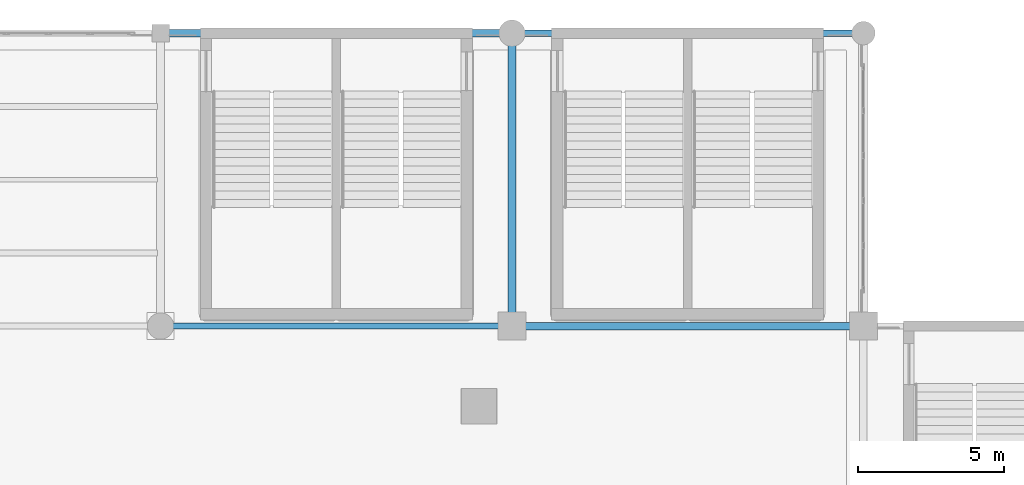
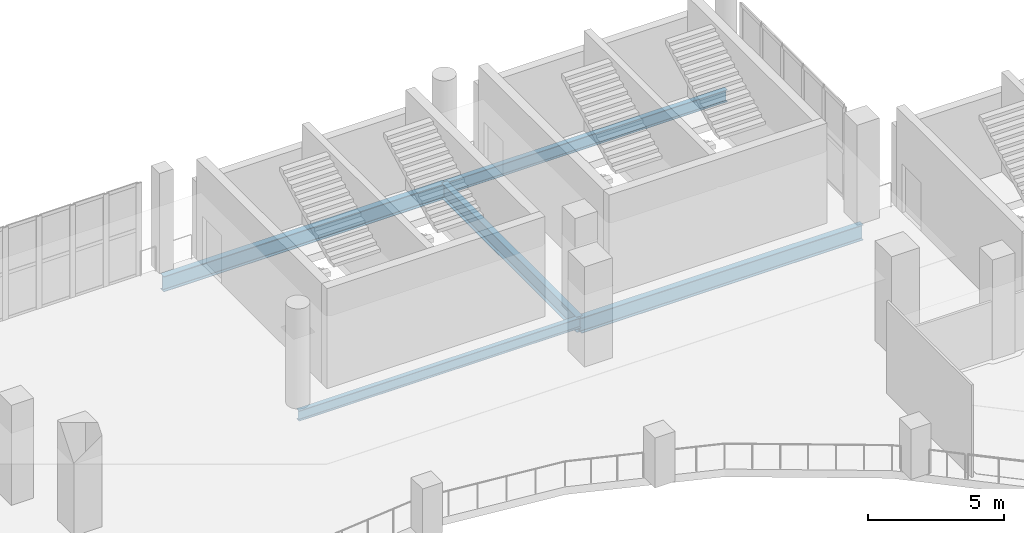
# One storey, part 30 of 90: 5 beams.
"""IFC4 building model written with IfcOpenShell, lengths in metres."""

from ifc_helpers import new_model, si_unit, direction, frame, origin, origin_2d, place, context, subcontext, project, spatial, i_section, extrude, material, material_profile, profile_set, type_object, element, save


model = new_model("IFC4")

# Units and contexts
model_context = context("Model", 3, precision=1e-05, world=origin(), true_north=direction((0.0, 1.0)))
body_context = subcontext(model_context, "Body", "Model", "MODEL_VIEW")
ifc_project = project(units=[si_unit("LENGTHUNIT", "METRE"), si_unit("AREAUNIT", "SQUARE_METRE"), si_unit("VOLUMEUNIT", "CUBIC_METRE"), si_unit("PLANEANGLEUNIT", "RADIAN"), si_unit("MASSUNIT", "GRAM", prefix="KILO")], contexts=[model_context])

# Site, building, storey
site_placement = place(None, origin())
site = spatial("IfcSite", under=ifc_project, at=site_placement, CompositionType="ELEMENT")
building_placement = place(site_placement, origin())
building = spatial("IfcBuilding", under=site, at=building_placement, Name="Brinegate Civic Arena", CompositionType="ELEMENT")
storey_placement = place(building_placement, frame((0.0, 0.0, 14.699951171875)))
storey = spatial("IfcBuildingStorey", under=building, at=storey_placement, Name="L03", CompositionType="ELEMENT", Elevation=14.699951171875)

# Beams
ifc_material = material(Name="Steel S355", Category="steel")
ifc_material_profile_1 = material_profile(ifc_material, i_section(OverallWidth=0.256103515625, OverallDepth=0.693115234375, WebThickness=0.014892578125, FlangeThickness=0.02392578125, FilletRadius=0.01806640625, at=origin_2d()), Name="W690X170")
ifc_profile_set_1 = profile_set([ifc_material_profile_1], Name="Steel S355")
beam_type_1 = type_object("IfcBeamType", Name="GIRDER-W690X170", PredefinedType="BEAM", material=ifc_profile_set_1)
beam_1_placement = place(storey_placement, frame((120.0, 114.0, -0.696044921875), z_axis=(0.0, 1.0, 0.0), x_axis=(-1.0, 0.0, 0.0)))
element("IfcBeam", 1, at=beam_1_placement, inside=storey, type_object=beam_type_1, Name="Floor Girder BM-L03-GY-10-11", PredefinedType="BEAM", context=body_context, shape_type="SweptSolid", body=[
    extrude(i_section(OverallWidth=0.256103515625, OverallDepth=0.693115234375, WebThickness=0.014892578125, FlangeThickness=0.02392578125, FilletRadius=0.01806640625, at=origin_2d()), origin(), (0.0, 0.0, 1.0), 10.0),
])
ifc_material_profile_2 = material_profile(ifc_material, i_section(OverallWidth=0.193115234375, OverallDepth=0.466064453125, WebThickness=0.010986328125, FlangeThickness=0.01904296875, FilletRadius=0.014892578125, at=origin_2d()), Name="W460X97")
ifc_profile_set_2 = profile_set([ifc_material_profile_2], Name="Steel S355")
beam_type_2 = type_object("IfcBeamType", Name="SPANDREL-W460X97", PredefinedType="SPANDREL", material=ifc_profile_set_2)
beam_2_placement = place(storey_placement, frame((108.0, 114.0, -0.5830078125), z_axis=(1.0, 0.0, 0.0), x_axis=(0.0, 1.0, 0.0)))
element("IfcBeam", 2, at=beam_2_placement, inside=storey, type_object=beam_type_2, Name="Floor Girder BM-L03-GX-09-11", PredefinedType="SPANDREL", context=body_context, shape_type="SweptSolid", body=[
    extrude(i_section(OverallWidth=0.193115234375, OverallDepth=0.466064453125, WebThickness=0.010986328125, FlangeThickness=0.01904296875, FilletRadius=0.014892578125, at=origin_2d()), origin(), (0.0, 0.0, 1.0), 12.0),
])
ifc_material_profile_3 = material_profile(ifc_material, i_section(OverallWidth=0.2119140625, OverallDepth=0.5439453125, WebThickness=0.012939453125, FlangeThickness=0.02099609375, FilletRadius=0.01611328125, at=origin_2d()), Name="W530X123")
ifc_profile_set_3 = profile_set([ifc_material_profile_3], Name="Steel S355")
beam_type_3 = type_object("IfcBeamType", Name="SPANDREL-W530X123", PredefinedType="SPANDREL", material=ifc_profile_set_3)
beam_3_placement = place(storey_placement, frame((120.0, 124.0, -0.6220703125), z_axis=(1.0, 0.0, 0.0), x_axis=(0.0, 1.0, 0.0)))
element("IfcBeam", 3, at=beam_3_placement, inside=storey, type_object=beam_type_3, Name="Floor Girder BM-L03-GX-10-12", PredefinedType="SPANDREL", context=body_context, shape_type="SweptSolid", body=[
    extrude(i_section(OverallWidth=0.2119140625, OverallDepth=0.5439453125, WebThickness=0.012939453125, FlangeThickness=0.02099609375, FilletRadius=0.01611328125, at=origin_2d()), origin(), (0.0, 0.0, 1.0), 12.0),
])
ifc_material_profile_4 = material_profile(ifc_material, i_section(OverallWidth=0.256103515625, OverallDepth=0.693115234375, WebThickness=0.014892578125, FlangeThickness=0.02392578125, FilletRadius=0.01806640625, at=origin_2d()), Name="W690X170")
ifc_profile_set_4 = profile_set([ifc_material_profile_4], Name="Steel S355")
beam_type_4 = type_object("IfcBeamType", Name="SPANDREL-W690X170", PredefinedType="SPANDREL", material=ifc_profile_set_4)
for number, where, z_axis, x_axis, name in (
    (4, (120.0, 114.0, -0.696044921875), (1.0, 0.0, 0.0), (0.0, 1.0, 0.0), "Floor Girder BM-L03-GX-10-11"),
    (5, (108.0, 124.0, -0.696044921875), (1.0, 0.0, 0.0), (0.0, 1.0, 0.0), "Floor Girder BM-L03-GX-09-12"),
):
    element("IfcBeam", number, at=place(storey_placement, frame(where, z_axis=z_axis, x_axis=x_axis)), inside=storey, type_object=beam_type_4, Name=name, PredefinedType="SPANDREL", context=body_context, shape_type="SweptSolid", body=[
        extrude(i_section(OverallWidth=0.256103515625, OverallDepth=0.693115234375, WebThickness=0.014892578125, FlangeThickness=0.02392578125, FilletRadius=0.01806640625, at=origin_2d()), origin(), (0.0, 0.0, 1.0), 12.0),
    ])

save(model, "model.ifc")
